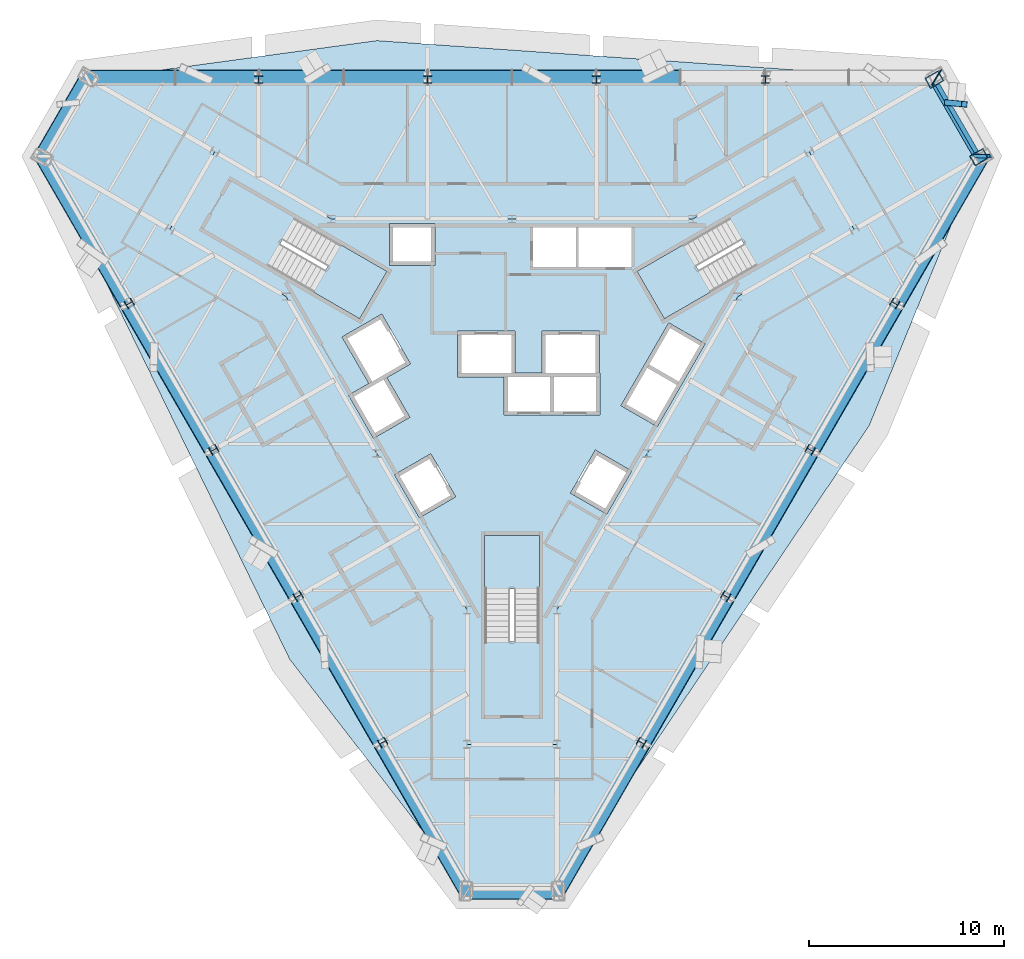
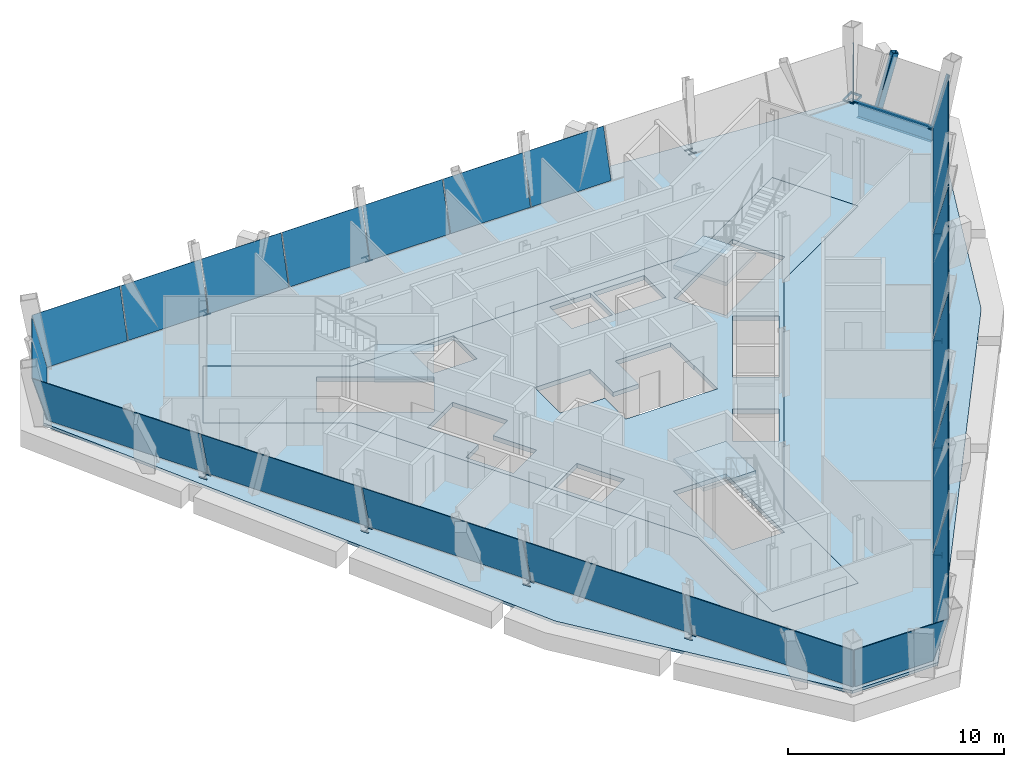
# One storey, part 5 of 10: 19 plates, 18 members, 5 slabs, 1 beam, 9 elements without a shape of their own.
"""IFC4 building model written with IfcOpenShell, lengths in metres."""

from ifc_helpers import new_model, si_unit, direction, frame, origin, origin_2d, place, context, subcontext, project, spatial, polyline, rectangle, hollow_rectangle, i_section, outline, extrude, material, layer, layer_set, material_profile, profile_set, type_object, element, aggregate, save


model = new_model("IFC4")

# Units and contexts
model_context = context("Model", 3, precision=1e-05, world=origin(), true_north=direction((0.0, 1.0)))
body_context = subcontext(model_context, "Body", "Model", "MODEL_VIEW")
ifc_project = project(units=[si_unit("LENGTHUNIT", "METRE"), si_unit("AREAUNIT", "SQUARE_METRE"), si_unit("VOLUMEUNIT", "CUBIC_METRE"), si_unit("PLANEANGLEUNIT", "RADIAN"), si_unit("MASSUNIT", "GRAM", prefix="KILO")], contexts=[model_context])

# Site, building, storey
site_placement = place(None, origin())
site = spatial("IfcSite", under=ifc_project, at=site_placement, CompositionType="ELEMENT")
building_placement = place(site_placement, origin())
building = spatial("IfcBuilding", under=site, at=building_placement, Name="Verrane Prism Tower", CompositionType="ELEMENT")
storey_placement = place(building_placement, frame((0.0, 0.0, 213.800048828125)))
storey = spatial("IfcBuildingStorey", under=building, at=storey_placement, Name="L53", CompositionType="ELEMENT", Elevation=213.800048828125)

# Member
ifc_material_1 = material(Name="Steel A500 Grade C", Category="steel")
ifc_material_profile_1 = material_profile(ifc_material_1, hollow_rectangle(XDim=0.3046875, YDim=0.3046875, WallThickness=0.0126953125, InnerFilletRadius=0.00634765625, OuterFilletRadius=0.01904296875, at=origin_2d()), Name="HSS12x12x1/2")
ifc_profile_set_1 = profile_set([ifc_material_profile_1], Name="Steel A500 Grade C")
member_type_1 = type_object("IfcMemberType", Name="Chamfer brace HSS12x12x1/2", PredefinedType="BRACE", material=ifc_profile_set_1)
member_1_placement = place(storey_placement, frame((22.298095703125, 13.9541015625, -0.24267578125), z_axis=(0.266823244406, -0.02603153604, 0.963393852677), x_axis=(0.097099964285, 0.995274633926, 0.0)))
element("IfcMember", 1, at=member_1_placement, inside=storey, type_object=member_type_1, Name="Chamfer brace NE0 L53", PredefinedType="BRACE", context=body_context, shape_type="SweptSolid", body=[
    extrude(hollow_rectangle(XDim=0.3046875, YDim=0.3046875, WallThickness=0.0126953125, InnerFilletRadius=0.00634765625, OuterFilletRadius=0.01904296875, at=origin_2d()), origin(), (0.0, 0.0, 1.0), 3.226318359375),
])

# Beam
ifc_material_2 = material(Name="Steel A992", Category="steel")
ifc_material_profile_2 = material_profile(ifc_material_2, i_section(OverallWidth=0.2666015625, OverallDepth=0.7568359375, WebThickness=0.013916015625, FlangeThickness=0.019287109375, FilletRadius=0.0166015625, at=origin_2d()), Name="W30x108")
ifc_profile_set_2 = profile_set([ifc_material_profile_2], Name="Steel A992")
beam_type = type_object("IfcBeamType", Name="Chamfer spandrel beam W30x108", PredefinedType="SPANDREL", material=ifc_profile_set_2)
beam_placement = place(storey_placement, frame((23.760009765625, 11.419921875, -0.53857421875), z_axis=(-0.499626934201, 0.866240686311, 0.0), x_axis=(-0.866240686311, -0.499626934201, 0.0)))
element("IfcBeam", 2, at=beam_placement, inside=storey, type_object=beam_type, Name="Chamfer spandrel beam L53", PredefinedType="SPANDREL", context=body_context, shape_type="SweptSolid", body=[
    extrude(i_section(OverallWidth=0.2666015625, OverallDepth=0.7568359375, WebThickness=0.013916015625, FlangeThickness=0.019287109375, FilletRadius=0.0166015625, at=origin_2d()), origin(), (0.0, 0.0, 1.0), 3.98291015625),
])

# Members
ifc_material_3 = material(Name="Steel A572 Grade 50", Category="steel")
ifc_material_profile_3 = material_profile(ifc_material_3, hollow_rectangle(XDim=0.60009765625, YDim=0.800048828125, WallThickness=0.050048828125, at=origin_2d()), Name="BOX 800x600x50")
ifc_profile_set_3 = profile_set([ifc_material_profile_3], Name="Steel A572 Grade 50")
member_type_2 = type_object("IfcMemberType", Name="Kink node BOX 800x600x50", PredefinedType="COLLAR", material=ifc_profile_set_3)
for number, where, z_axis, x_axis, name in (
    (3, (23.9169921875, 11.159912109375, -0.06494140625), (0.0, 0.0, 1.0), (0.5, -0.866025403784, 0.0), "Kink node MC4 L53"),
    (4, (21.62353515625, 15.13623046875, -0.06494140625), (0.0, 0.0, 1.0), (0.5, -0.866025403784, 0.0), "Kink node MC4 L53"),
):
    element("IfcMember", number, at=place(storey_placement, frame(where, z_axis=z_axis, x_axis=x_axis)), inside=storey, type_object=member_type_2, Name=name, PredefinedType="COLLAR", context=body_context, shape_type="SweptSolid", body=[
        extrude(hollow_rectangle(XDim=0.60009765625, YDim=0.800048828125, WallThickness=0.050048828125, at=origin_2d()), origin(), (0.0, 0.0, 1.0), 0.1298828125),
    ])
ifc_material_4 = material(Name="Steel A992", Category="steel")
ifc_material_profile_4 = material_profile(ifc_material_4, i_section(OverallWidth=0.4013671875, OverallDepth=0.398681640625, WebThickness=0.02490234375, FlangeThickness=0.03955078125, FilletRadius=0.01513671875, at=origin_2d()), Name="W14x211")
ifc_profile_set_4 = profile_set([ifc_material_profile_4], Name="Steel A992")
member_type_3 = type_object("IfcMemberType", Name="Kink node W14x211", PredefinedType="COLLAR", material=ifc_profile_set_4)
member_2_placement = place(storey_placement, frame((12.971435546875, 15.1337890625, -0.0400390625), z_axis=(0.0, 0.0, 1.0), x_axis=(1.0, 0.0, 0.0)))
element("IfcMember", 5, at=member_2_placement, inside=storey, type_object=member_type_3, Name="Kink node PC8 L53", PredefinedType="COLLAR", context=body_context, shape_type="SweptSolid", body=[
    extrude(i_section(OverallWidth=0.4013671875, OverallDepth=0.398681640625, WebThickness=0.02490234375, FlangeThickness=0.03955078125, FilletRadius=0.01513671875, at=origin_2d()), origin(), (0.0, 0.0, 1.0), 0.080078125),
])
for number, where, z_axis, x_axis, name in (
    (6, (4.320556640625, 15.13330078125, -0.03515625), (0.0, 0.0, 1.0), (1.0, 0.0, 0.0), "Kink node PC8 L53"),
    (7, (-4.320556640625, 15.13330078125, -0.03515625), (0.0, 0.0, 1.0), (1.0, 0.0, 0.0), "Kink node PC8 L53"),
):
    element("IfcMember", number, at=place(storey_placement, frame(where, z_axis=z_axis, x_axis=x_axis)), inside=storey, type_object=member_type_3, Name=name, PredefinedType="COLLAR", context=body_context, shape_type="SweptSolid", body=[
        extrude(i_section(OverallWidth=0.4013671875, OverallDepth=0.398681640625, WebThickness=0.02490234375, FlangeThickness=0.03955078125, FilletRadius=0.01513671875, at=origin_2d()), origin(), (0.0, 0.0, 1.0), 0.070068359375),
    ])
member_3_placement = place(storey_placement, frame((-12.971435546875, 15.1337890625, -0.0400390625), z_axis=(0.0, 0.0, 1.0), x_axis=(1.0, 0.0, 0.0)))
element("IfcMember", 8, at=member_3_placement, inside=storey, type_object=member_type_3, Name="Kink node PC8 L53", PredefinedType="COLLAR", context=body_context, shape_type="SweptSolid", body=[
    extrude(i_section(OverallWidth=0.4013671875, OverallDepth=0.398681640625, WebThickness=0.02490234375, FlangeThickness=0.03955078125, FilletRadius=0.01513671875, at=origin_2d()), origin(), (0.0, 0.0, 1.0), 0.080078125),
])
for number, where, z_axis, x_axis, name in (
    (9, (6.622314453125, -18.802490234375, -0.03515625), (0.0, 0.0, 1.0), (-0.5, -0.866025403784, 0.0), "Kink node PC8 L53"),
    (10, (10.942626953125, -11.31201171875, -0.03515625), (0.0, 0.0, 1.0), (-0.5, -0.866025403784, 0.0), "Kink node PC8 L53"),
    (11, (15.27294921875, -3.8212890625, -0.03515625), (0.0, 0.0, 1.0), (-0.5, -0.866025403784, 0.0), "Kink node PC8 L53"),
):
    element("IfcMember", number, at=place(storey_placement, frame(where, z_axis=z_axis, x_axis=x_axis)), inside=storey, type_object=member_type_3, Name=name, PredefinedType="COLLAR", context=body_context, shape_type="SweptSolid", body=[
        extrude(i_section(OverallWidth=0.4013671875, OverallDepth=0.398681640625, WebThickness=0.02490234375, FlangeThickness=0.03955078125, FilletRadius=0.01513671875, at=origin_2d()), origin(), (0.0, 0.0, 1.0), 0.070068359375),
    ])
for number, where, z_axis, x_axis, name in (
    (12, (19.593994140625, 3.669189453125, -0.0400390625), (0.0, 0.0, 1.0), (-0.5, -0.866025403784, 0.0), "Kink node PC8 L53"),
    (13, (-19.593994140625, 3.669189453125, -0.0400390625), (0.0, 0.0, 1.0), (-0.5, 0.866025403784, 0.0), "Kink node PC8 L53"),
):
    element("IfcMember", number, at=place(storey_placement, frame(where, z_axis=z_axis, x_axis=x_axis)), inside=storey, type_object=member_type_3, Name=name, PredefinedType="COLLAR", context=body_context, shape_type="SweptSolid", body=[
        extrude(i_section(OverallWidth=0.4013671875, OverallDepth=0.398681640625, WebThickness=0.02490234375, FlangeThickness=0.03955078125, FilletRadius=0.01513671875, at=origin_2d()), origin(), (0.0, 0.0, 1.0), 0.080078125),
    ])
for number, where, z_axis, x_axis, name in (
    (14, (-15.27294921875, -3.8212890625, -0.03515625), (0.0, 0.0, 1.0), (-0.5, 0.866025403784, 0.0), "Kink node PC8 L53"),
    (15, (-10.942626953125, -11.31201171875, -0.03515625), (0.0, 0.0, 1.0), (-0.5, 0.866025403784, 0.0), "Kink node PC8 L53"),
    (16, (-6.622314453125, -18.802490234375, -0.03515625), (0.0, 0.0, 1.0), (-0.5, 0.866025403784, 0.0), "Kink node PC8 L53"),
):
    element("IfcMember", number, at=place(storey_placement, frame(where, z_axis=z_axis, x_axis=x_axis)), inside=storey, type_object=member_type_3, Name=name, PredefinedType="COLLAR", context=body_context, shape_type="SweptSolid", body=[
        extrude(i_section(OverallWidth=0.4013671875, OverallDepth=0.398681640625, WebThickness=0.02490234375, FlangeThickness=0.03955078125, FilletRadius=0.01513671875, at=origin_2d()), origin(), (0.0, 0.0, 1.0), 0.070068359375),
    ])

# Curtain wall, member
ifc_material_5 = material(Name="Aluminium framed insulated glazing", Category="aluminium")
curtain_wall_type_1 = type_object("IfcCurtainWallType", Name="Curtain wall CW-C 4200 module", PredefinedType="NOTDEFINED", material=ifc_material_5)
curtain_wall_1_placement = place(storey_placement, origin())
curtain_wall_1 = element("IfcCurtainWall", 17, at=curtain_wall_1_placement, inside=storey, type_object=curtain_wall_type_1, Name="Glazed curtain wall north face L53", PredefinedType="NOTDEFINED")
ifc_material_6 = material(Name="Aluminium alloy 6063-T6", Category="aluminium")
ifc_material_profile_5 = material_profile(ifc_material_6, rectangle(XDim=0.139892578125, YDim=0.050048828125, at=origin_2d()), Name="Mullion 50x140 aluminium")
ifc_profile_set_5 = profile_set([ifc_material_profile_5], Name="Aluminium alloy 6063-T6")
member_type_4 = type_object("IfcMemberType", Name="Mullion 50x140 aluminium", PredefinedType="MULLION", material=ifc_profile_set_5)
member_4_placement = place(storey_placement, frame((21.52587890625, 14.90185546875, 0.0), z_axis=(0.151508325023, 0.246943927142, 0.957112284059), x_axis=(0.500524173145, 0.815806028657, -0.289717234046)))
member_4 = element("IfcMember", 18, at=member_4_placement, type_object=member_type_4, Name="CW51.2 mullion 1", PredefinedType="MULLION", context=body_context, shape_type="SweptSolid", body=[
    extrude(rectangle(XDim=0.139892578125, YDim=0.050048828125, at=origin_2d()), origin(), (0.0, 0.0, 1.0), 2.83447265625),
])

# Curtain wall, members
ifc_material_7 = material(Name="Aluminium framed insulated glazing", Category="aluminium")
curtain_wall_type_2 = type_object("IfcCurtainWallType", Name="Curtain wall CW-A 8400 module", PredefinedType="NOTDEFINED", material=ifc_material_7)
curtain_wall_2_placement = place(storey_placement, origin())
curtain_wall_2 = element("IfcCurtainWall", 19, at=curtain_wall_2_placement, inside=storey, type_object=curtain_wall_type_2, Name="Glazed curtain wall north-east corner L53", PredefinedType="NOTDEFINED")
ifc_material_8 = material(Name="Aluminium alloy 6063-T6", Category="aluminium")
ifc_material_profile_6 = material_profile(ifc_material_8, rectangle(XDim=0.199951171875, YDim=0.070068359375, at=origin_2d()), Name="Mullion 70x200 aluminium")
ifc_profile_set_6 = profile_set([ifc_material_profile_6], Name="Aluminium alloy 6063-T6")
member_type_5 = type_object("IfcMemberType", Name="Mullion 70x200 aluminium", PredefinedType="MULLION", material=ifc_profile_set_6)
member_5_placement = place(storey_placement, frame((23.6630859375, 11.242919921875, 0.0), z_axis=(0.291309713634, -0.010588384981, 0.956570194416), x_axis=(0.446511872682, -0.882827177212, -0.145750892724)))
member_5 = element("IfcMember", 20, at=member_5_placement, type_object=member_type_5, Name="CW51.1 mullion 1", PredefinedType="MULLION", context=body_context, shape_type="SweptSolid", body=[
    extrude(rectangle(XDim=0.199951171875, YDim=0.070068359375, at=origin_2d()), origin(), (0.0, 0.0, 1.0), 2.836181640625),
])
ifc_material_9 = material(Name="Aluminium alloy 6063-T6", Category="aluminium")
ifc_material_profile_7 = material_profile(ifc_material_9, rectangle(XDim=0.14990234375, YDim=0.070068359375, at=origin_2d()), Name="Transom 70x150 aluminium")
ifc_profile_set_7 = profile_set([ifc_material_profile_7], Name="Aluminium alloy 6063-T6")
member_type_6 = type_object("IfcMemberType", Name="Transom 70x150 aluminium", PredefinedType="USERDEFINED", material=ifc_profile_set_7)
member_6_placement = place(storey_placement, frame((23.645751953125, 11.2734375, 0.034912109375), z_axis=(-0.500018368146, 0.86601479867, 0.0), x_axis=(-0.86601479867, -0.500018368146, 0.0)))
member_6 = element("IfcMember", 21, at=member_6_placement, type_object=member_type_6, Name="CW51.1 transom 1", ObjectType="TRANSOM", PredefinedType="USERDEFINED", context=body_context, shape_type="SweptSolid", body=[
    extrude(rectangle(XDim=0.14990234375, YDim=0.070068359375, at=origin_2d()), origin(), (0.0, 0.0, 1.0), 4.189697265625),
])
aggregate(curtain_wall_2, [member_5, member_6])

# Slabs
ifc_material_10 = material(Name="Concrete C35/45", Category="concrete")
ifc_layer_1 = layer(ifc_material_10, 0.159912109375)
ifc_layer_set_1 = layer_set([ifc_layer_1], Name="Composite floor slab")
slab_type_1 = type_object("IfcSlabType", Name="Composite floor slab", PredefinedType="FLOOR", material=ifc_layer_set_1)
slab_1_placement = place(storey_placement, frame((0.0, 0.0, -0.16015625)))
element("IfcSlab", 22, at=slab_1_placement, inside=storey, type_object=slab_type_1, Name="Floor slab L53", PredefinedType="FLOOR", context=body_context, shape_type="SweptSolid", body=[
    extrude(outline(polyline([(18.294921875, -2.572509765625), (2.291015625, -26.2919921875), (-2.291015625, -26.2919921875), (-11.375244140625, -14.5576171875), (-23.914794921875, 11.161865234375), (-21.623779296875, 15.1298828125), (-6.919677734375, 17.1298828125), (21.623779296875, 15.1298828125), (23.914794921875, 11.161865234375), (18.294921875, -2.572509765625)]), holes=[polyline([(17.52001953125, 7.4599609375), (15.219970703125, 11.43994140625), (9.260009765625, 8.0), (0.0, 8.0), (-9.260009765625, 8.0), (-15.219970703125, 11.43994140625), (-17.52001953125, 7.4599609375), (-11.56005859375, 4.02001953125), (-6.929931640625, -4.0), (-2.300048828125, -12.02001953125), (-2.300048828125, -18.89990234375), (2.300048828125, -18.89990234375), (2.300048828125, -12.02001953125), (6.929931640625, -4.0), (11.56005859375, 4.02001953125), (17.52001953125, 7.4599609375)])]), origin(), (0.0, 0.0, 1.0), 0.16015625),
])
ifc_material_11 = material(Name="Concrete C40/50", Category="concrete")
ifc_layer_2 = layer(ifc_material_11, 0.25)
ifc_layer_set_2 = layer_set([ifc_layer_2], Name="Core floor slab 250 concrete C40/50")
slab_type_2 = type_object("IfcSlabType", Name="Core floor slab 250 concrete C40/50", PredefinedType="FLOOR", material=ifc_layer_set_2)
slab_2_placement = place(storey_placement, frame((0.0, 0.0, -0.25)))
element("IfcSlab", 23, at=slab_2_placement, inside=storey, type_object=slab_type_2, Name="Core floor L53", PredefinedType="FLOOR", context=body_context, shape_type="SweptSolid", body=[
    extrude(outline(polyline([(11.56005859375, 4.02001953125), (17.52001953125, 7.4599609375), (15.219970703125, 11.43994140625), (9.260009765625, 8.0), (0.0, 8.0), (-9.260009765625, 8.0), (-15.219970703125, 11.43994140625), (-17.52001953125, 7.4599609375), (-11.56005859375, 4.02001953125), (-6.929931640625, -4.0), (-2.300048828125, -12.02001953125), (-2.300048828125, -18.89990234375), (2.300048828125, -18.89990234375), (2.300048828125, -12.02001953125), (6.929931640625, -4.0), (11.56005859375, 4.02001953125)]), holes=[polyline([(1.39990234375, -8.199951171875), (1.39990234375, -13.639892578125), (-1.39990234375, -13.639892578125), (-1.39990234375, -8.199951171875), (1.39990234375, -8.199951171875)]), polyline([(-2.881103515625, -6.22998046875), (-4.742919921875, -7.304931640625), (-6.01806640625, -5.096923828125), (-4.156005859375, -4.02197265625), (-2.881103515625, -6.22998046875)]), polyline([(-7.801025390625, 2.887939453125), (-12.512939453125, 5.60791015625), (-11.113037109375, 8.031982421875), (-6.40087890625, 5.31201171875), (-7.801025390625, 2.887939453125)]), polyline([(-6.284912109375, 5.610107421875), (-6.284912109375, 7.760009765625), (-3.93505859375, 7.760009765625), (-3.93505859375, 5.610107421875), (-6.284912109375, 5.610107421875)]), polyline([(4.26611328125, -3.8310546875), (6.1279296875, -4.906005859375), (4.85302734375, -7.114990234375), (2.990966796875, -6.0400390625), (4.26611328125, -3.8310546875)]), polyline([(7.43798828125, -2.636962890625), (5.575927734375, -1.56201171875), (8.02587890625, 2.680908203125), (9.887939453125, 1.60595703125), (7.43798828125, -2.636962890625)]), polyline([(0.1650390625, 0.10009765625), (1.52490234375, 0.10009765625), (1.52490234375, 2.25), (4.47509765625, 2.25), (4.47509765625, 0.10009765625), (4.4951171875, 0.10009765625), (4.4951171875, -2.050048828125), (-0.405029296875, -2.050048828125), (-0.405029296875, -0.10009765625), (-2.784912109375, -0.10009765625), (-2.784912109375, 2.25), (0.1650390625, 2.25), (0.1650390625, 0.10009765625)]), polyline([(6.40087890625, 5.31201171875), (11.113037109375, 8.031982421875), (12.512939453125, 5.60791015625), (7.801025390625, 2.887939453125), (6.40087890625, 5.31201171875)]), polyline([(1.074951171875, 5.534912109375), (1.074951171875, 7.56005859375), (3.264892578125, 7.56005859375), (3.264892578125, 5.534912109375), (1.074951171875, 5.534912109375)]), polyline([(3.4150390625, 7.56005859375), (6.125, 7.56005859375), (6.125, 5.534912109375), (3.4150390625, 5.534912109375), (3.4150390625, 7.56005859375)]), polyline([(-5.23095703125, -2.159912109375), (-7.093017578125, -3.235107421875), (-8.367919921875, -1.02587890625), (-7.3291015625, -0.426025390625), (-8.7041015625, 1.955078125), (-6.66796875, 3.1298828125), (-5.193115234375, 0.574951171875), (-6.406005859375, -0.125), (-5.23095703125, -2.159912109375)])]), origin(), (0.0, 0.0, 1.0), 0.25),
])

# Plate
ifc_material_12 = material(Name="Low-iron insulating glass unit", Category="glass")
ifc_layer_3 = layer(ifc_material_12, 0.02392578125)
ifc_layer_set_3 = layer_set([ifc_layer_3], Name="Glazing panel IGU 24")
plate_type_1 = type_object("IfcPlateType", Name="Glazing panel IGU 24", PredefinedType="CURTAIN_PANEL", material=ifc_layer_set_3)
plate_1_placement = place(storey_placement, frame((8.59521484375, 14.90185546875, 0.050048828125), z_axis=(0.0, -0.967145712681, 0.254222678854), x_axis=(-1.0, 0.0, 0.0)))
plate_1 = element("IfcPlate", 24, at=plate_1_placement, type_object=plate_type_1, Name="CW51.2 panel 4", PredefinedType="CURTAIN_PANEL", context=body_context, shape_type="SweptSolid", body=[
    extrude(outline(polyline([(0.0, 0.0), (4.260009765625, 0.0), (4.260009765625, -2.753299489375187), (0.0, -2.753299489375187), (0.0, 0.0)])), origin(), (0.0, 0.0, -1.0), 0.02392578125),
])

plate_2_placement = place(storey_placement, frame((4.28515625, 14.90185546875, 0.050048828125), z_axis=(0.0, -0.967145712681, 0.254222678854), x_axis=(-1.0, 0.0, 0.0)))
plate_2 = element("IfcPlate", 25, at=plate_2_placement, type_object=plate_type_1, Name="CW51.2 panel 5", PredefinedType="CURTAIN_PANEL", context=body_context, shape_type="SweptSolid", body=[
    extrude(outline(polyline([(0.0, 0.0), (4.26025390625, 0.0), (4.26025390625, -2.753299489375187), (0.0, -2.753299489375187), (0.0, 0.0)])), origin(), (0.0, 0.0, -1.0), 0.02392578125),
])

plate_3_placement = place(storey_placement, frame((-0.02490234375, 14.90185546875, 0.050048828125), z_axis=(0.0, -0.967145712681, 0.254222678854), x_axis=(-1.0, 0.0, 0.0)))
plate_3 = element("IfcPlate", 26, at=plate_3_placement, type_object=plate_type_1, Name="CW51.2 panel 6", PredefinedType="CURTAIN_PANEL", context=body_context, shape_type="SweptSolid", body=[
    extrude(outline(polyline([(0.0, 0.0), (4.26025390625, 0.0), (4.26025390625, -2.753299489375187), (0.0, -2.753299489375187), (0.0, 0.0)])), origin(), (0.0, 0.0, -1.0), 0.02392578125),
])

plate_4_placement = place(storey_placement, frame((-4.335205078125, 14.90185546875, 0.050048828125), z_axis=(0.0, -0.967145712681, 0.254222678854), x_axis=(-1.0, 0.0, 0.0)))
plate_4 = element("IfcPlate", 27, at=plate_4_placement, type_object=plate_type_1, Name="CW51.2 panel 7", PredefinedType="CURTAIN_PANEL", context=body_context, shape_type="SweptSolid", body=[
    extrude(outline(polyline([(0.0, 0.0), (4.260009765625, 0.0), (4.260009765625, -2.753299489375187), (0.0, -2.753299489375187), (0.0, 0.0)])), origin(), (0.0, 0.0, -1.0), 0.02392578125),
])

plate_5_placement = place(storey_placement, frame((-8.645263671875, 14.90185546875, 0.050048828125), z_axis=(0.0, -0.967145712681, 0.254222678854), x_axis=(-1.0, 0.0, 0.0)))
plate_5 = element("IfcPlate", 28, at=plate_5_placement, type_object=plate_type_1, Name="CW51.2 panel 8", PredefinedType="CURTAIN_PANEL", context=body_context, shape_type="SweptSolid", body=[
    extrude(outline(polyline([(0.0, 0.0), (4.26025390625, 0.0), (4.26025390625, -2.753299489375187), (0.0, -2.753299489375187), (0.0, 0.0)])), origin(), (0.0, 0.0, -1.0), 0.02392578125),
])

plate_6_placement = place(storey_placement, frame((-12.95556640625, 14.90185546875, 0.050048828125), z_axis=(0.0, -0.967145712681, 0.254222678854), x_axis=(-1.0, 0.0, 0.0)))
plate_6 = element("IfcPlate", 29, at=plate_6_placement, type_object=plate_type_1, Name="CW51.2 panel 9", PredefinedType="CURTAIN_PANEL", context=body_context, shape_type="SweptSolid", body=[
    extrude(outline(polyline([(0.0, 0.0), (4.260009765625, 0.0), (4.260009765625, -2.753299489375187), (0.0, -2.753299489375187), (0.0, 0.0)])), origin(), (0.0, 0.0, -1.0), 0.02392578125),
])

plate_7_placement = place(storey_placement, frame((-17.265625, 14.90185546875, 0.050048828125), z_axis=(0.0, -0.967145712681, 0.254222678854), x_axis=(-1.0, 0.0, 0.0)))
plate_7 = element("IfcPlate", 30, at=plate_7_placement, type_object=plate_type_1, Name="CW51.2 panel 10", PredefinedType="CURTAIN_PANEL", context=body_context, shape_type="SweptSolid", body=[
    extrude(outline(polyline([(0.0, 0.0), (4.28515625, 0.0), (4.689697265625, -2.7532994893751868), (0.0, -2.7532994893751868), (0.0, 0.0)])), origin(), (0.0, 0.0, -1.0), 0.02392578125),
])

aggregate(curtain_wall_1, [member_4, plate_1, plate_2, plate_3, plate_4, plate_5, plate_6, plate_7])

# Curtain wall, plate
curtain_wall_3_placement = place(storey_placement, origin())
curtain_wall_3 = element("IfcCurtainWall", 31, at=curtain_wall_3_placement, inside=storey, type_object=curtain_wall_type_2, Name="Glazed curtain wall north-west corner L53", PredefinedType="NOTDEFINED")
ifc_material_13 = material(Name="Low-iron insulating glass unit", Category="glass")
ifc_layer_4 = layer(ifc_material_13, 0.031982421875)
ifc_layer_set_4 = layer_set([ifc_layer_4], Name="Glazing panel IGU 32")
plate_type_2 = type_object("IfcPlateType", Name="Glazing panel IGU 32", PredefinedType="CURTAIN_PANEL", material=ifc_layer_set_4)
plate_8_placement = place(storey_placement, frame((-21.585693359375, 14.841064453125, 0.070068359375), z_axis=(0.837120521833, -0.483311398942, 0.256201724387), x_axis=(-0.500000944914, -0.866024858221, 5.332434e-06)))
plate_8 = element("IfcPlate", 32, at=plate_8_placement, type_object=plate_type_2, Name="CW51.3 panel 1", PredefinedType="CURTAIN_PANEL", context=body_context, shape_type="SweptSolid", body=[
    extrude(outline(polyline([(0.0, 0.0), (4.18978748808283, 5.551115123125783e-17), (4.593887787959509, -2.734051276011853), (-0.4389861214759867, -2.7341021533597143), (0.0, 0.0)])), origin(), (0.0, 0.0, -1.0), 0.031982421875),
])
aggregate(curtain_wall_3, [plate_8])

# Curtain wall, plates
curtain_wall_4_placement = place(storey_placement, origin())
curtain_wall_4 = element("IfcCurtainWall", 33, at=curtain_wall_4_placement, inside=storey, type_object=curtain_wall_type_2, Name="Glazed curtain wall south-west face L53", PredefinedType="NOTDEFINED")
plate_9_placement = place(storey_placement, frame((-23.645751953125, 11.152099609375, 0.070068359375), z_axis=(0.837147227656, 0.483327534787, 0.25608399666), x_axis=(0.500001045745, -0.866024800016, -3.348955e-06)))
plate_9 = element("IfcPlate", 34, at=plate_9_placement, type_object=plate_type_2, Name="CW51.4 panel 1", PredefinedType="CURTAIN_PANEL", context=body_context, shape_type="SweptSolid", body=[
    extrude(outline(polyline([(0.0, 0.0), (8.515420739031986, -2.220446049250313e-16), (8.515381850641704, -2.7340178857744606), (-0.43940256108306514, -2.733957360600211), (0.0, 0.0)])), origin(), (0.0, 0.0, -1.0), 0.031982421875),
])
plate_10_placement = place(storey_placement, frame((-19.35302734375, 3.717041015625, 0.070068359375), z_axis=(0.83716356544, 0.483327712844, 0.256030245667), x_axis=(0.499992691914, -0.866029623067, 1.766651e-06)))
plate_10 = element("IfcPlate", 35, at=plate_10_placement, type_object=plate_type_2, Name="CW51.4 panel 2", PredefinedType="CURTAIN_PANEL", context=body_context, shape_type="SweptSolid", body=[
    extrude(outline(polyline([(0.0, 0.0), (8.550516729821652, -1.1102230246251565e-16), (8.550408751263662, -2.7339324892397556), (0.00010345445545182394, -2.7339637421139664), (0.0, 0.0)])), origin(), (0.0, 0.0, -1.0), 0.031982421875),
])
plate_11_placement = place(storey_placement, frame((-15.04296875, -3.74853515625, 0.070068359375), z_axis=(0.83715533006, 0.48333092597, 0.256051106917), x_axis=(0.499999279071, -0.866025820012, 0.0)))
plate_11 = element("IfcPlate", 36, at=plate_11_placement, type_object=plate_type_2, Name="CW51.4 panel 3", PredefinedType="CURTAIN_PANEL", context=body_context, shape_type="SweptSolid", body=[
    extrude(outline(polyline([(0.0, 0.0), (8.550305297068887, 1.1102230246251565e-16), (8.550398757997442, -2.733963743110482), (9.346092855627708e-05, -2.733963743110482), (0.0, 0.0)])), origin(), (0.0, 0.0, -1.0), 0.031982421875),
])
plate_12_placement = place(storey_placement, frame((-10.732666015625, -11.2138671875, 0.070068359375), z_axis=(0.837138750861, 0.483321353984, 0.256123369862), x_axis=(0.499999279071, -0.866025820012, 0.0)))
plate_12 = element("IfcPlate", 37, at=plate_12_placement, type_object=plate_type_2, Name="CW51.4 panel 4", PredefinedType="CURTAIN_PANEL", context=body_context, shape_type="SweptSolid", body=[
    extrude(outline(polyline([(0.0, 0.0), (8.550305297068887, 0.0), (8.55027668786095, -2.734017888169303), (-2.860920793579247e-05, -2.734017888169303), (0.0, 0.0)])), origin(), (0.0, 0.0, -1.0), 0.031982421875),
])
plate_13_placement = place(storey_placement, frame((-6.422607421875, -18.679443359375, 0.070068359375), z_axis=(0.837158859285, 0.483337278942, 0.256027574894), x_axis=(0.500002979111, -0.866023683786, -1.534253e-06)))
plate_13 = element("IfcPlate", 38, at=plate_13_placement, type_object=plate_type_2, Name="CW51.4 panel 5", PredefinedType="CURTAIN_PANEL", context=body_context, shape_type="SweptSolid", body=[
    extrude(outline(polyline([(0.0, 0.0), (8.585311925712578, 2.220446049250313e-16), (8.989666023950948, -2.7339603830482098), (-0.00012501624805549908, -2.7339324886663032), (0.0, 0.0)])), origin(), (0.0, 0.0, -1.0), 0.031982421875),
])
aggregate(curtain_wall_4, [plate_9, plate_10, plate_11, plate_12, plate_13])

# Curtain wall, plate
curtain_wall_5_placement = place(storey_placement, origin())
curtain_wall_5 = element("IfcCurtainWall", 39, at=curtain_wall_5_placement, inside=storey, type_object=curtain_wall_type_2, Name="Glazed curtain wall south corner L53", PredefinedType="NOTDEFINED")
plate_14_placement = place(storey_placement, frame((-2.059814453125, -26.114501953125, 0.070068359375), z_axis=(0.0, 0.966648680287, 0.256106089151), x_axis=(1.0, 0.0, 0.0)))
plate_14 = element("IfcPlate", 40, at=plate_14_placement, type_object=plate_type_2, Name="CW51.5 panel 1", PredefinedType="CURTAIN_PANEL", context=body_context, shape_type="SweptSolid", body=[
    extrude(outline(polyline([(0.0, 0.0), (4.189697265625, 0.0), (4.59375, -2.734004938424624), (-0.43896484375, -2.734004938424624), (0.0, 0.0)])), origin(), (0.0, 0.0, -1.0), 0.031982421875),
])
aggregate(curtain_wall_5, [plate_14])

# Curtain wall, plates
curtain_wall_6_placement = place(storey_placement, origin())
curtain_wall_6 = element("IfcCurtainWall", 41, at=curtain_wall_6_placement, inside=storey, type_object=curtain_wall_type_2, Name="Glazed curtain wall south-east face L53", PredefinedType="NOTDEFINED")
plate_15_placement = place(storey_placement, frame((2.164794921875, -26.053955078125, 0.070068359375), z_axis=(-0.837155311347, 0.483332201912, 0.256048759571), x_axis=(0.500001045533, 0.866024800138, 3.348527e-06)))
plate_15 = element("IfcPlate", 42, at=plate_15_placement, type_object=plate_type_2, Name="CW51.6 panel 1", PredefinedType="CURTAIN_PANEL", context=body_context, shape_type="SweptSolid", body=[
    extrude(outline(polyline([(0.0, 0.0), (8.515420739031974, 1.1102230246251565e-16), (8.51554898738711, -2.7339324867326016), (-0.4392354243377041, -2.7339930035786035), (0.0, 0.0)])), origin(), (0.0, 0.0, -1.0), 0.031982421875),
])
plate_16_placement = place(storey_placement, frame((6.45751953125, -18.61865234375, 0.070068359375), z_axis=(-0.83715533006, 0.48333092597, 0.256051106917), x_axis=(0.499999279071, 0.866025820012, 0.0)))
plate_16 = element("IfcPlate", 43, at=plate_16_placement, type_object=plate_type_2, Name="CW51.6 panel 2", PredefinedType="CURTAIN_PANEL", context=body_context, shape_type="SweptSolid", body=[
    extrude(outline(polyline([(0.0, 0.0), (8.550305297068887, -1.1102230246251565e-16), (8.550211836140331, -2.7339637431104826), (-9.346092855627708e-05, -2.733963743110482), (0.0, 0.0)])), origin(), (0.0, 0.0, -1.0), 0.031982421875),
])
plate_17_placement = place(storey_placement, frame((10.767822265625, -11.1533203125, 0.070068359375), z_axis=(-0.837164900214, 0.483336451291, 0.256009384012), x_axis=(0.499999279071, 0.866025820012, 0.0)))
plate_17 = element("IfcPlate", 44, at=plate_17_placement, type_object=plate_type_2, Name="CW51.6 panel 3", PredefinedType="CURTAIN_PANEL", context=body_context, shape_type="SweptSolid", body=[
    extrude(outline(polyline([(0.0, 0.0), (8.550305297068887, 0.0), (8.550423268225295, -2.733932489463458), (0.0001179711564076591, -2.733932489463458), (0.0, 0.0)])), origin(), (0.0, 0.0, -1.0), 0.031982421875),
])
plate_18_placement = place(storey_placement, frame((15.077880859375, -3.68798828125, 0.070068359375), z_axis=(-0.83716356544, 0.483327712844, 0.256030245667), x_axis=(0.499992691914, 0.866029623067, -1.766651e-06)))
plate_18 = element("IfcPlate", 45, at=plate_18_placement, type_object=plate_type_2, Name="CW51.6 panel 4", PredefinedType="CURTAIN_PANEL", context=body_context, shape_type="SweptSolid", body=[
    extrude(outline(polyline([(0.0, 0.0), (8.550516729821652, 1.1102230246251565e-16), (8.5504132753662, -2.7339637421139664), (0.00010797855799229387, -2.7339324892397556), (0.0, 0.0)])), origin(), (0.0, 0.0, -1.0), 0.031982421875),
])
plate_19_placement = place(storey_placement, frame((19.387939453125, 3.777587890625, 0.070068359375), z_axis=(-0.837157634095, 0.483336571574, 0.256032916352), x_axis=(0.500002979126, 0.866023683777, 1.534282e-06)))
plate_19 = element("IfcPlate", 46, at=plate_19_placement, type_object=plate_type_2, Name="CW51.6 panel 5", PredefinedType="CURTAIN_PANEL", context=body_context, shape_type="SweptSolid", body=[
    extrude(outline(polyline([(0.0, 0.0), (8.58531192571258, -4.440892098500626e-16), (8.989704624974163, -2.73393584789433), (-8.641522483991099e-05, -2.7339637428581915), (0.0, 0.0)])), origin(), (0.0, 0.0, -1.0), 0.031982421875),
])
aggregate(curtain_wall_6, [plate_15, plate_16, plate_17, plate_18, plate_19])

# Stair, slab
ifc_material_14 = material(Name="Concrete C40/50", Category="concrete")
stair_type = type_object("IfcStairType", Name="Exit stair 1300 dog-leg precast concrete C40/50", PredefinedType="HALF_TURN_STAIR", material=ifc_material_14)
stair_1_placement = place(storey_placement, origin())
stair_1 = element("IfcStair", 47, at=stair_1_placement, inside=storey, type_object=stair_type, Name="Stair 1 L53", PredefinedType="HALF_TURN_STAIR")
ifc_material_15 = material(Name="Concrete C40/50", Category="concrete")
ifc_layer_5 = layer(ifc_material_15, 0.199951171875)
ifc_layer_set_5 = layer_set([ifc_layer_5], Name="Stair landing 200 precast concrete C40/50")
slab_type_3 = type_object("IfcSlabType", Name="Stair landing 200 precast concrete C40/50", PredefinedType="LANDING", material=ifc_layer_set_5)
slab_3_placement = place(storey_placement, frame((0.0, 0.0, 1.64990234375)))
slab_3 = element("IfcSlab", 48, at=slab_3_placement, type_object=slab_type_3, Name="Stair 1 landing 1", PredefinedType="LANDING", context=body_context, shape_type="SweptSolid", body=[
    extrude(outline(polyline([(8.791748046875, 6.6923828125), (6.4013671875, 5.3125), (7.801513671875, 2.887451171875), (10.191650390625, 4.267578125), (8.791748046875, 6.6923828125)])), origin(), (0.0, 0.0, 1.0), 0.199951171875),
])
aggregate(stair_1, [slab_3])

stair_2_placement = place(storey_placement, origin())
stair_2 = element("IfcStair", 49, at=stair_2_placement, inside=storey, type_object=stair_type, Name="Stair 2 L53", PredefinedType="HALF_TURN_STAIR")
slab_4_placement = place(storey_placement, frame((0.0, 0.0, 1.64990234375)))
slab_4 = element("IfcSlab", 50, at=slab_4_placement, type_object=slab_type_3, Name="Stair 2 landing 1", PredefinedType="LANDING", context=body_context, shape_type="SweptSolid", body=[
    extrude(outline(polyline([(-10.191650390625, 4.267578125), (-7.801513671875, 2.887451171875), (-6.4013671875, 5.3125), (-8.791748046875, 6.6923828125), (-10.191650390625, 4.267578125)])), origin(), (0.0, 0.0, 1.0), 0.199951171875),
])
aggregate(stair_2, [slab_4])

stair_3_placement = place(storey_placement, origin())
stair_3 = element("IfcStair", 51, at=stair_3_placement, inside=storey, type_object=stair_type, Name="Stair 3 L53", PredefinedType="HALF_TURN_STAIR")
slab_5_placement = place(storey_placement, frame((0.0, 0.0, 1.64990234375)))
slab_5 = element("IfcSlab", 52, at=slab_5_placement, type_object=slab_type_3, Name="Stair 3 landing 1", PredefinedType="LANDING", context=body_context, shape_type="SweptSolid", body=[
    extrude(outline(polyline([(1.39990234375, -10.9599609375), (1.39990234375, -8.199951171875), (-1.39990234375, -8.199951171875), (-1.39990234375, -10.9599609375), (1.39990234375, -10.9599609375)])), origin(), (0.0, 0.0, 1.0), 0.199951171875),
])
aggregate(stair_3, [slab_5])

save(model, "model.ifc")
